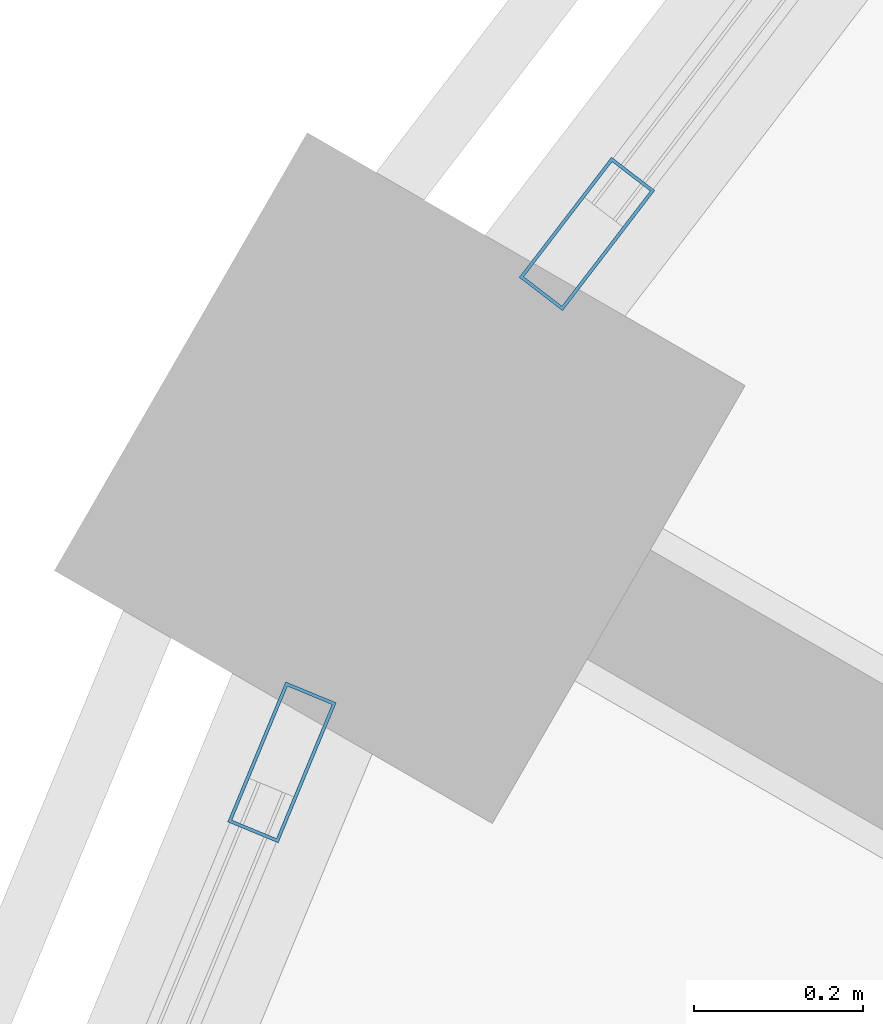
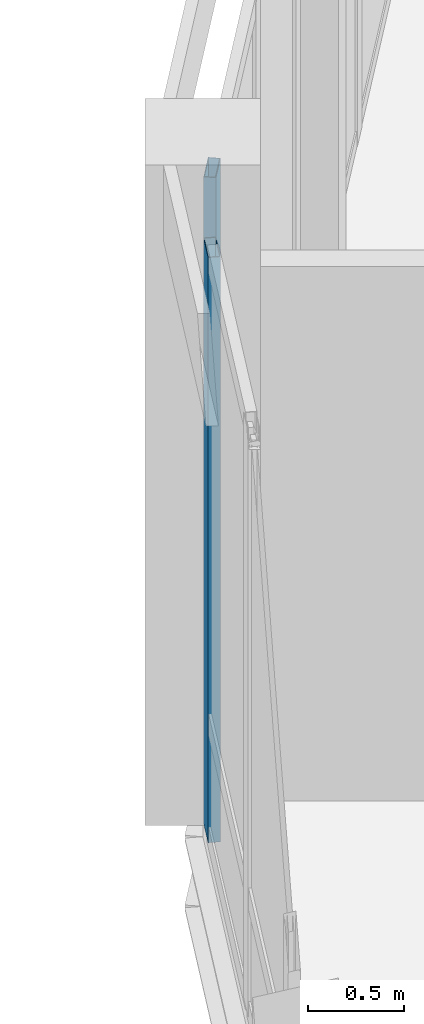
# One storey, part 64 of 185: 2 members, 2 elements without a shape of their own.
"""IFC4 building model written with IfcOpenShell, lengths in metres."""

import ifcopenshell
import ifcopenshell.guid

model = None  # the IFC model being written
_history = None  # IfcOwnerHistory: only IFC2X3 demands one
_inside = {}  # id of a spatial element -> (the spatial element, [elements in it])
_under = {}  # id of a project, library or spatial element -> (it, [spatial elements below it])
_declared = {}  # id of a project -> (the project, [libraries it declares])
_typed = {}  # id of a type object -> (the type object, [elements of that type])
_made_of = {}  # id of a material, layer set ... -> (it, [elements and type objects made of it])


def new_model(schema):
    """Start an empty IFC model of exactly this schema.

    Asked for "IFC4X3", IfcOpenShell would pick the latest addendum, in which some entities
    have other attributes; the version numbers below select the first issue.
    IFC2X3 requires an IfcOwnerHistory on every rooted entity: one is made here for all.
    """
    global model, _history
    if schema == "IFC4X3":
        model = ifcopenshell.file(schema_version=(4, 3, 0, 0))
    else:
        model = ifcopenshell.file(schema=schema)
    _inside.clear()
    _under.clear()
    _declared.clear()
    _typed.clear()
    _made_of.clear()
    _history = None
    if model.schema == "IFC2X3":
        org = make("IfcOrganization", Name="unknown")
        user = make(
            "IfcPersonAndOrganization",
            ThePerson=make("IfcPerson", FamilyName="unknown"),
            TheOrganization=org,
        )
        app = make(
            "IfcApplication",
            ApplicationDeveloper=org,
            Version="unknown",
            ApplicationFullName="unknown",
            ApplicationIdentifier="unknown",
        )
        _history = make(
            "IfcOwnerHistory",
            OwningUser=user,
            OwningApplication=app,
            ChangeAction="ADDED",
            CreationDate=0,
        )
    return model


def make(cls, **values):
    """One entity of the class cls with the attributes given. An attribute that is None is left unset."""
    return model.create_entity(
        cls, **{name: value for name, value in values.items() if value is not None}
    )


def rooted(cls, **values):
    """An entity with a GlobalId (a new one), such as an element, a storey or a relation."""
    return make(cls, GlobalId=ifcopenshell.guid.new(), OwnerHistory=_history, **values)


def si_unit(unit_type, name, prefix=None):
    """IfcSIUnit, for example si_unit("LENGTHUNIT", "METRE", prefix="MILLI")."""
    return make("IfcSIUnit", UnitType=unit_type, Prefix=prefix, Name=name)


def assignment(units):
    """IfcUnitAssignment: the units of a project."""
    return None if units is None else make("IfcUnitAssignment", Units=units)


def point(xyz):
    """IfcCartesianPoint."""
    return None if xyz is None else make("IfcCartesianPoint", Coordinates=xyz)


def direction(xyz):
    """IfcDirection."""
    return None if xyz is None else make("IfcDirection", DirectionRatios=xyz)


def frame(location, z_axis=None, x_axis=None):
    """IfcAxis2Placement3D, a coordinate frame: its origin and axes. An axis left out is left unset."""
    return make(
        "IfcAxis2Placement3D",
        Location=point(location),
        Axis=direction(z_axis),
        RefDirection=direction(x_axis),
    )


def frame_2d(location, x_axis=None):
    """IfcAxis2Placement2D, a coordinate frame in the plane: its origin and x axis."""
    return make(
        "IfcAxis2Placement2D", Location=point(location), RefDirection=direction(x_axis)
    )


def origin():
    """The frame at (0, 0, 0) with its axes left unset."""
    return frame((0.0, 0.0, 0.0))


def origin_2d():
    """The frame at (0, 0) in the plane with its x axis left unset."""
    return frame_2d((0.0, 0.0))


def place(relative_to, where):
    """IfcLocalPlacement: puts the frame where relative to a parent placement (None: the world)."""
    return make(
        "IfcLocalPlacement", PlacementRelTo=relative_to, RelativePlacement=where
    )


def context(
    kind, dimensions, precision=None, world=None, true_north=None, identifier=None
):
    """IfcGeometricRepresentationContext, for example the 3D "Model" context."""
    return make(
        "IfcGeometricRepresentationContext",
        ContextIdentifier=identifier,
        ContextType=kind,
        CoordinateSpaceDimension=dimensions,
        Precision=precision,
        WorldCoordinateSystem=world,
        TrueNorth=true_north,
    )


def subcontext(parent, identifier, kind, view, scale=None):
    """IfcGeometricRepresentationSubContext, for example "Body" below "Model"."""
    return make(
        "IfcGeometricRepresentationSubContext",
        ContextIdentifier=identifier,
        ContextType=kind,
        ParentContext=parent,
        TargetScale=scale,
        TargetView=view,
    )


def project(units=None, contexts=None):
    """IfcProject with its units and contexts."""
    return rooted(
        "IfcProject",
        Name="project",
        RepresentationContexts=contexts,
        UnitsInContext=assignment(units),
    )


def spatial(cls, under=None, at=None, **own):
    """A site, building, storey or space (cls), placed at a placement, below another one or the project."""
    s = rooted(cls, ObjectPlacement=at, **own)
    if under is not None:
        _under.setdefault(under.id(), (under, []))[1].append(s)
    return s


def profile(cls, at=None, kind="AREA", **sizes):
    """A parametric profile (cls). Its sizes go by their IFC names, for example OverallWidth=200.0."""
    return make(cls, ProfileType=kind, Position=at, **sizes)


def hollow_rectangle(**sizes):
    """IfcRectangleHollowProfileDef."""
    return profile("IfcRectangleHollowProfileDef", **sizes)


def extrude(swept, where, along, depth):
    """IfcExtrudedAreaSolid: the profile swept, set in the frame where, extruded along a direction by depth."""
    return make(
        "IfcExtrudedAreaSolid",
        SweptArea=swept,
        Position=where,
        ExtrudedDirection=direction(along),
        Depth=depth,
    )


def shape(context_of_items, identifier, shape_type, items):
    """IfcShapeRepresentation: the items that make up one representation, for example the "Body"."""
    return make(
        "IfcShapeRepresentation",
        ContextOfItems=context_of_items,
        RepresentationIdentifier=identifier,
        RepresentationType=shape_type,
        Items=items,
    )


def material(Name=None, Category=None):
    """IfcMaterial."""
    return make("IfcMaterial", Name=Name, Category=Category)


def material_profile(
    of_material, cross_section, Name=None, Category=None, Priority=None
):
    """IfcMaterialProfile: a cross section and its material."""
    return make(
        "IfcMaterialProfile",
        Name=Name,
        Material=of_material,
        Profile=cross_section,
        Priority=Priority,
        Category=Category,
    )


def profile_set(profiles, Name=None, composite=None):
    """IfcMaterialProfileSet."""
    return make(
        "IfcMaterialProfileSet",
        Name=Name,
        MaterialProfiles=profiles,
        CompositeProfile=composite,
    )


def made_of(thing, what):
    """Note that an element or type object is made of a material, layer set ...; save() writes the relation."""
    if what is not None:
        _made_of.setdefault(what.id(), (what, []))[1].append(thing)
    return thing


def type_object(cls, material=None, **own):
    """A type object (cls), such as IfcWallType, which elements share."""
    return made_of(rooted(cls, **own), material)


def element(
    cls,
    number,
    at=None,
    inside=None,
    cuts=None,
    type_object=None,
    material=None,
    context=None,
    identifier="Body",
    shape_type=None,
    held_by="IfcProductDefinitionShape",
    body=None,
    shapes=None,
    **own,
):
    """One element of the class cls, such as IfcWall. Its Tag is "e" and its number.

    at: its placement. inside: the storey or other place that contains it. cuts: it is an
    opening in that element (IfcRelVoidsElement). A single representation is given by context,
    identifier, shape_type and body (its items); several are given by shapes. held_by: the class
    of the entity that holds the representations. save() writes the other relations.
    """
    e = rooted(cls, Tag="e%d" % number, ObjectPlacement=at, **own)
    if body is not None:
        shapes = [shape(context, identifier, shape_type, body)]
    if shapes is not None:
        e.Representation = make(held_by, Representations=shapes)
    if inside is not None:
        _inside.setdefault(inside.id(), (inside, []))[1].append(e)
    if cuts is not None:
        rooted(
            "IfcRelVoidsElement", RelatingBuildingElement=cuts, RelatedOpeningElement=e
        )
    if type_object is not None:
        _typed.setdefault(type_object.id(), (type_object, []))[1].append(e)
    return made_of(e, material)


def aggregate(whole, parts):
    """IfcRelAggregates: a whole, such as a stair, and the parts it consists of."""
    return rooted("IfcRelAggregates", RelatingObject=whole, RelatedObjects=parts)


def save(model, path):
    """Write the relations noted so far, then the file.

    IfcRelAggregates (storeys below a building ...), IfcRelContainedInSpatialStructure (elements
    in a storey), IfcRelDefinesByType, IfcRelAssociatesMaterial and IfcRelDeclares: one each for
    every whole, place, type object, material and project.
    """
    for whole, parts in _under.values():
        aggregate(whole, parts)
    for where, things in _inside.values():
        rooted(
            "IfcRelContainedInSpatialStructure",
            RelatedElements=things,
            RelatingStructure=where,
        )
    for kind, things in _typed.values():
        rooted("IfcRelDefinesByType", RelatedObjects=things, RelatingType=kind)
    for what, things in _made_of.values():
        rooted("IfcRelAssociatesMaterial", RelatedObjects=things, RelatingMaterial=what)
    for by, libraries in _declared.values():
        rooted("IfcRelDeclares", RelatingContext=by, RelatedDefinitions=libraries)
    model.write(path)


model = new_model("IFC4")

# Units and contexts
model_context = context("Model", 3, precision=1e-05, world=origin(), true_north=direction((0.0, 1.0)))
body_context = subcontext(model_context, "Body", "Model", "MODEL_VIEW")
ifc_project = project(units=[si_unit("LENGTHUNIT", "METRE"), si_unit("AREAUNIT", "SQUARE_METRE"), si_unit("VOLUMEUNIT", "CUBIC_METRE"), si_unit("PLANEANGLEUNIT", "RADIAN"), si_unit("MASSUNIT", "GRAM", prefix="KILO")], contexts=[model_context])

# Site, building, storey
site_placement = place(None, origin())
site = spatial("IfcSite", under=ifc_project, at=site_placement, CompositionType="ELEMENT")
building_placement = place(site_placement, origin())
building = spatial("IfcBuilding", under=site, at=building_placement, Name="Vondelvale Polytechnic", CompositionType="ELEMENT")
storey_placement = place(building_placement, frame((0.0, 0.0, 9.60009765625)))
storey = spatial("IfcBuildingStorey", under=building, at=storey_placement, Name="L02", CompositionType="ELEMENT", Elevation=9.60009765625)

# Curtain wall, member
ifc_material_1 = material(Name="Glulam GL18 structural Tasmanian oak (fb = 42 MPa)", Category="wood")
curtain_wall_type = type_object("IfcCurtainWallType", Name="CW-RING-OUTER", PredefinedType="NOTDEFINED", material=ifc_material_1)
curtain_wall_1_placement = place(storey_placement, origin())
curtain_wall_1 = element("IfcCurtainWall", 1, at=curtain_wall_1_placement, inside=storey, type_object=curtain_wall_type, Name="L02 architectural curtain wall CW-04-220", PredefinedType="NOTDEFINED")
ifc_material_2 = material(Name="Anodised extruded aluminium 6063-T6", Category="aluminium")
ifc_material_profile = material_profile(ifc_material_2, hollow_rectangle(XDim=0.06494140625, YDim=0.179931640625, WallThickness=0.00390625, at=origin_2d()), Name="CW-MUL-180x65")
ifc_profile_set = profile_set([ifc_material_profile], Name="Anodised extruded aluminium 6063-T6")
member_type = type_object("IfcMemberType", Name="CW-MUL-65x180", PredefinedType="MULLION", material=ifc_profile_set)
member_1_placement = place(storey_placement, frame((62.385009765625, 95.289794921875, 0.0), z_axis=(0.0, 0.0, 1.0), x_axis=(0.793333825656, -0.608786860133, 0.0)))
member_1 = element("IfcMember", 2, at=member_1_placement, type_object=member_type, Name="CW-04-220 mullion 3", PredefinedType="MULLION", context=body_context, shape_type="SweptSolid", body=[
    extrude(hollow_rectangle(XDim=0.06494140625, YDim=0.179931640625, WallThickness=0.00390625, at=origin_2d()), origin(), (0.0, 0.0, 1.0), 3.719970703125),
])
aggregate(curtain_wall_1, [member_1])

curtain_wall_2_placement = place(storey_placement, origin())
curtain_wall_2 = element("IfcCurtainWall", 3, at=curtain_wall_2_placement, inside=storey, type_object=curtain_wall_type, Name="L02 architectural curtain wall CW-04-234", PredefinedType="NOTDEFINED")
member_2_placement = place(storey_placement, frame((62.02294921875, 94.66259765625, 0.0), z_axis=(0.0, 0.0, 1.0), x_axis=(0.923882033442, -0.382677394529, 0.0)))
member_2 = element("IfcMember", 4, at=member_2_placement, type_object=member_type, Name="CW-04-234 mullion 1", PredefinedType="MULLION", context=body_context, shape_type="SweptSolid", body=[
    extrude(hollow_rectangle(XDim=0.06494140625, YDim=0.179931640625, WallThickness=0.00390625, at=origin_2d()), origin(), (0.0, 0.0, 1.0), 3.719970703125),
])
aggregate(curtain_wall_2, [member_2])

save(model, "model.ifc")
